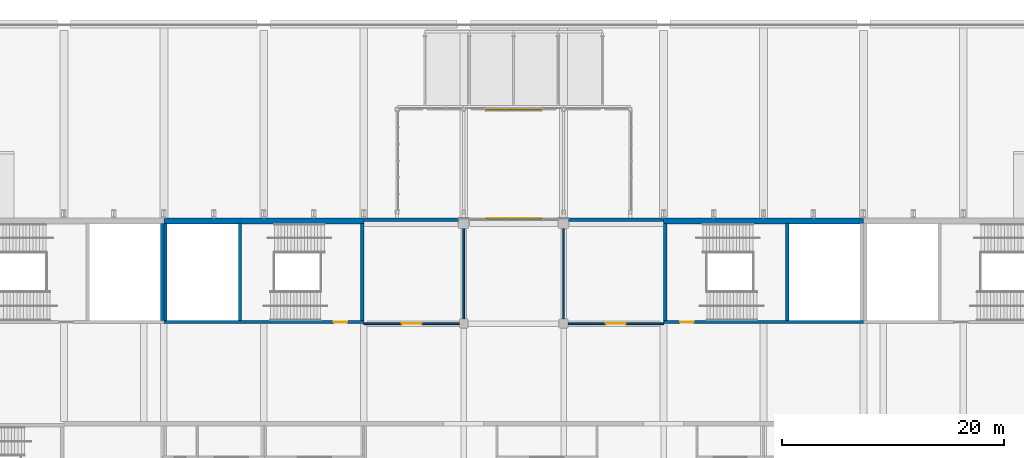
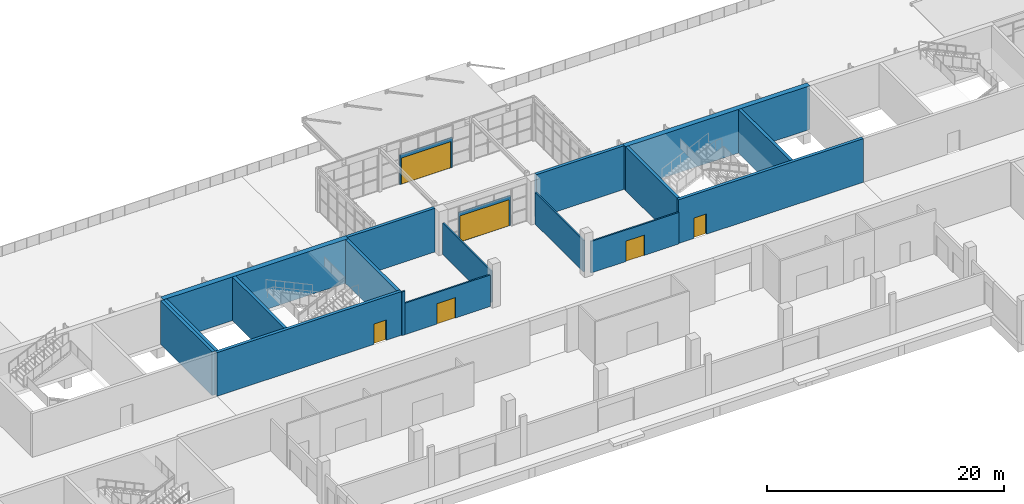
# One storey, part 107 of 168: 19 walls, 6 doors, 6 openings.
"""IFC4 building model written with IfcOpenShell, lengths in metres."""

from ifc_helpers import new_model, si_unit, direction, frame, frame_2d, origin, place, context, subcontext, project, spatial, rectangle, extrude, material, layer, layer_set, type_object, element, fill, save


model = new_model("IFC4")

# Units and contexts
model_context = context("Model", 3, precision=1e-05, world=origin(), true_north=direction((0.0, 1.0)))
body_context = subcontext(model_context, "Body", "Model", "MODEL_VIEW")
ifc_project = project(units=[si_unit("LENGTHUNIT", "METRE"), si_unit("AREAUNIT", "SQUARE_METRE"), si_unit("VOLUMEUNIT", "CUBIC_METRE"), si_unit("PLANEANGLEUNIT", "RADIAN"), si_unit("MASSUNIT", "GRAM", prefix="KILO")], contexts=[model_context])

# Site, building, storey
site_placement = place(None, origin())
site = spatial("IfcSite", under=ifc_project, at=site_placement, CompositionType="ELEMENT")
building_placement = place(site_placement, origin())
building = spatial("IfcBuilding", under=site, at=building_placement, Name="Silverbay Arena", CompositionType="ELEMENT")
storey_placement = place(building_placement, frame((0.0, 0.0, 7.0)))
storey = spatial("IfcBuildingStorey", under=building, at=storey_placement, Name="L01", CompositionType="ELEMENT", Elevation=7.0)

# Walls
ifc_material_1 = material(Name="Concrete Grade C45 precast, board-marked finish", Category="concrete")
ifc_layer_1 = layer(ifc_material_1, 0.300048828125)
ifc_layer_set_1 = layer_set([ifc_layer_1], Name="Concrete Grade C45 precast, board-marked finish")
wall_type_1 = type_object("IfcWallType", Name="Board-marked precast wall 300", PredefinedType="SOLIDWALL", material=ifc_layer_set_1)
for number, where, z_axis, x_axis, name in (
    (1, (125.550048828125, 144.35009765625, 0.0), (0.0, 0.0, 1.0), (-1.0, 0.0, 0.0), "North external wall L01 bay 11"),
    (2, (144.0, 144.35009765625, 0.0), (0.0, 0.0, 1.0), (-1.0, 0.0, 0.0), "North external wall L01 bay 13"),
):
    element("IfcWall", number, at=place(storey_placement, frame(where, z_axis=z_axis, x_axis=x_axis)), inside=storey, type_object=wall_type_1, Name=name, PredefinedType="SOLIDWALL", context=body_context, shape_type="SweptSolid", body=[
        extrude(rectangle(XDim=8.550048828125, YDim=0.300048828125, at=frame_2d((4.27490234375, 0.0))), origin(), (0.0, 0.0, 1.0), 4.5),
    ])
ifc_material_2 = material(Name="Concrete Grade C45", Category="concrete")
ifc_layer_2 = layer(ifc_material_2, 0.300048828125)
ifc_layer_set_2 = layer_set([ifc_layer_2], Name="Concrete Grade C45")
wall_type_2 = type_object("IfcWallType", Name="Core wall RC 300 EI 120", PredefinedType="SHEAR", material=ifc_layer_set_2)
wall_1_placement = place(storey_placement, frame((98.85009765625, 135.300048828125, 0.0), z_axis=(0.0, 0.0, 1.0), x_axis=(0.0, 1.0, 0.0)))
element("IfcWall", 3, at=wall_1_placement, inside=storey, type_object=wall_type_2, Name="Core wall ST-N1 L01 end 2", PredefinedType="SHEAR", context=body_context, shape_type="SweptSolid", body=[
    extrude(rectangle(XDim=8.699951171875, YDim=0.300048828125, at=frame_2d((4.35009765625, 0.0))), origin(), (0.0, 0.0, 1.0), 4.5),
])

# Wall, opening, door
wall_2_placement = place(storey_placement, frame((117.0, 135.14990234375, 0.0), z_axis=(0.0, 0.0, 1.0), x_axis=(-1.0, 0.0, 0.0)))
wall_2 = element("IfcWall", 4, at=wall_2_placement, inside=storey, type_object=wall_type_2, Name="Core wall ST-N2 L01 door side", PredefinedType="SHEAR", context=body_context, shape_type="SweptSolid", body=[
    extrude(rectangle(XDim=18.0, YDim=0.300048828125, at=frame_2d((9.0, 0.0))), origin(), (0.0, 0.0, 1.0), 4.5),
])
opening_1_placement = place(wall_2_placement, frame((1.5, 0.0, 0.0)))
opening_1 = element("IfcOpeningElement", 5, at=opening_1_placement, cuts=wall_2, Name="Opening L01-106", PredefinedType="OPENING", context=body_context, shape_type="SweptSolid", body=[
    extrude(rectangle(XDim=1.199951171875, YDim=2.10009765625, at=frame_2d((0.60009765625, 1.050048828125))), frame((0.0, 0.16015625, 0.0), z_axis=(0.0, -1.0, 0.0), x_axis=(1.0, 0.0, 0.0)), (0.0, 0.0, 1.0), 0.320068359375),
])
ifc_material_3 = material(Name="Steel fire door", Category="steel")
door_type_1 = type_object("IfcDoorType", Name="Stair door 1200 x 2100 fire door", OperationType="SINGLE_SWING_LEFT", PredefinedType="DOOR", material=ifc_material_3)
door_1_placement = place(opening_1_placement, frame((1.199951171875, 0.0, 0.0), z_axis=(0.0, 0.0, 1.0), x_axis=(-1.0, 0.0, 0.0)))
door_1 = element("IfcDoor", 6, at=door_1_placement, inside=storey, type_object=door_type_1, Name="Stair door ST-N2 L01", OperationType="SINGLE_SWING_RIGHT", OverallHeight=2.10009765625, OverallWidth=1.199951171875, PredefinedType="DOOR", context=body_context, shape_type="SweptSolid", body=[
    extrude(rectangle(XDim=1.199951171875, YDim=2.10009765625, at=frame_2d((0.60009765625, 1.050048828125))), frame((0.0, 0.02490234375, 0.0), z_axis=(0.0, -1.0, 0.0), x_axis=(1.0, 0.0, 0.0)), (0.0, 0.0, 1.0), 0.050048828125),
])
fill(opening_1, door_1)

# Walls
for number, where, z_axis, x_axis, name in (
    (7, (116.85009765625, 135.300048828125, 0.0), (0.0, 0.0, 1.0), (0.0, 1.0, 0.0), "Core wall ST-N2 L01 end 1"),
    (8, (99.14990234375, 135.300048828125, 0.0), (0.0, 0.0, 1.0), (0.0, 1.0, 0.0), "Core wall ST-N2 L01 end 2"),
    (9, (105.85009765625, 135.300048828125, 0.0), (0.0, 0.0, 1.0), (0.0, 1.0, 0.0), "Core wall ST-N2 L01 stair enclosure"),
):
    element("IfcWall", number, at=place(storey_placement, frame(where, z_axis=z_axis, x_axis=x_axis)), inside=storey, type_object=wall_type_2, Name=name, PredefinedType="SHEAR", context=body_context, shape_type="SweptSolid", body=[
        extrude(rectangle(XDim=8.699951171875, YDim=0.300048828125, at=frame_2d((4.35009765625, 0.0))), origin(), (0.0, 0.0, 1.0), 4.5),
    ])

# Wall, opening, door
wall_3_placement = place(storey_placement, frame((144.0, 135.14990234375, 0.0), z_axis=(0.0, 0.0, 1.0), x_axis=(1.0, 0.0, 0.0)))
wall_3 = element("IfcWall", 10, at=wall_3_placement, inside=storey, type_object=wall_type_2, Name="Core wall ST-N3 L01 door side", PredefinedType="SHEAR", context=body_context, shape_type="SweptSolid", body=[
    extrude(rectangle(XDim=18.0, YDim=0.300048828125, at=frame_2d((9.0, 0.0))), origin(), (0.0, 0.0, 1.0), 4.5),
])
opening_2_placement = place(wall_3_placement, frame((1.5, 0.0, 0.0)))
opening_2 = element("IfcOpeningElement", 11, at=opening_2_placement, cuts=wall_3, Name="Opening L01-107", PredefinedType="OPENING", context=body_context, shape_type="SweptSolid", body=[
    extrude(rectangle(XDim=1.199951171875, YDim=2.10009765625, at=frame_2d((0.60009765625, 1.050048828125))), frame((0.0, 0.16015625, 0.0), z_axis=(0.0, -1.0, 0.0), x_axis=(1.0, 0.0, 0.0)), (0.0, 0.0, 1.0), 0.320068359375),
])
door_2_placement = place(opening_2_placement, origin())
door_2 = element("IfcDoor", 12, at=door_2_placement, inside=storey, type_object=door_type_1, Name="Stair door ST-N3 L01", OperationType="SINGLE_SWING_LEFT", OverallHeight=2.10009765625, OverallWidth=1.199951171875, PredefinedType="DOOR", context=body_context, shape_type="SweptSolid", body=[
    extrude(rectangle(XDim=1.199951171875, YDim=2.10009765625, at=frame_2d((0.60009765625, 1.050048828125))), frame((0.0, 0.02490234375, 0.0), z_axis=(0.0, -1.0, 0.0), x_axis=(1.0, 0.0, 0.0)), (0.0, 0.0, 1.0), 0.050048828125),
])
fill(opening_2, door_2)

# Walls
for number, where, z_axis, x_axis, name in (
    (13, (144.14990234375, 135.300048828125, 0.0), (0.0, 0.0, 1.0), (0.0, 1.0, 0.0), "Core wall ST-N3 L01 end 1"),
    (14, (155.14990234375, 135.300048828125, 0.0), (0.0, 0.0, 1.0), (0.0, 1.0, 0.0), "Core wall ST-N3 L01 stair enclosure"),
):
    element("IfcWall", number, at=place(storey_placement, frame(where, z_axis=z_axis, x_axis=x_axis)), inside=storey, type_object=wall_type_2, Name=name, PredefinedType="SHEAR", context=body_context, shape_type="SweptSolid", body=[
        extrude(rectangle(XDim=8.699951171875, YDim=0.300048828125, at=frame_2d((4.35009765625, 0.0))), origin(), (0.0, 0.0, 1.0), 4.5),
    ])
ifc_material_4 = material(Name="Concrete Grade C45", Category="concrete")
ifc_layer_3 = layer(ifc_material_4, 0.5)
ifc_layer_set_3 = layer_set([ifc_layer_3], Name="Concrete Grade C45")
wall_type_3 = type_object("IfcWallType", Name="Core wall RC 500 external EI 120", PredefinedType="SHEAR", material=ifc_layer_set_3)
for number, where, z_axis, x_axis, name in (
    (15, (117.0, 144.25, 0.0), (0.0, 0.0, 1.0), (-1.0, 0.0, 0.0), "Core wall ST-N2 L01 facade side"),
    (16, (144.0, 144.25, 0.0), (0.0, 0.0, 1.0), (1.0, 0.0, 0.0), "Core wall ST-N3 L01 facade side"),
):
    element("IfcWall", number, at=place(storey_placement, frame(where, z_axis=z_axis, x_axis=x_axis)), inside=storey, type_object=wall_type_3, Name=name, PredefinedType="SHEAR", context=body_context, shape_type="SweptSolid", body=[
        extrude(rectangle(XDim=18.0, YDim=0.5, at=frame_2d((9.0, 0.0))), origin(), (0.0, 0.0, 1.0), 4.5),
    ])

# Wall, opening, door
ifc_material_5 = material(Name="Aluminium and glass", Category="aluminium")
ifc_layer_4 = layer(ifc_material_5, 0.10009765625)
ifc_layer_set_4 = layer_set([ifc_layer_4], Name="Aluminium and glass")
wall_type_4 = type_object("IfcWallType", Name="Glazed entrance screen 100", PredefinedType="SOLIDWALL", material=ifc_layer_set_4)
wall_4_placement = place(storey_placement, frame((133.050048828125, 144.449951171875, 0.0), z_axis=(0.0, 0.0, 1.0), x_axis=(-1.0, 0.0, 0.0)))
wall_4 = element("IfcWall", 17, at=wall_4_placement, inside=storey, type_object=wall_type_4, Name="North entrance screen L01 bay 12", PredefinedType="SOLIDWALL", context=body_context, shape_type="SweptSolid", body=[
    extrude(rectangle(XDim=5.10009765625, YDim=0.10009765625, at=frame_2d((2.550048828125, 0.0))), origin(), (0.0, 0.0, 1.0), 3.10009765625),
])
opening_3_placement = place(wall_4_placement, frame((0.14990234375, 0.0, 0.0)))
opening_3 = element("IfcOpeningElement", 18, at=opening_3_placement, cuts=wall_4, Name="Opening L01-091", PredefinedType="OPENING", context=body_context, shape_type="SweptSolid", body=[
    extrude(rectangle(XDim=4.800048828125, YDim=2.699951171875, at=frame_2d((2.39990234375, 1.35009765625))), frame((0.0, 0.06005859375, 0.0), z_axis=(0.0, -1.0, 0.0), x_axis=(1.0, 0.0, 0.0)), (0.0, 0.0, 1.0), 0.1201171875),
])
ifc_material_6 = material(Name="Aluminium and glass", Category="aluminium")
door_type_2 = type_object("IfcDoorType", Name="Entrance door 4800 x 2700", OperationType="DOUBLE_DOOR_SINGLE_SWING", PredefinedType="DOOR", material=ifc_material_6)
door_3_placement = place(opening_3_placement, frame((4.800048828125, 0.0, 0.0), z_axis=(0.0, 0.0, 1.0), x_axis=(-1.0, 0.0, 0.0)))
door_3 = element("IfcDoor", 19, at=door_3_placement, inside=storey, type_object=door_type_2, Name="Main entrance E7", OperationType="DOUBLE_DOOR_SINGLE_SWING", OverallHeight=2.699951171875, OverallWidth=4.800048828125, PredefinedType="DOOR", context=body_context, shape_type="SweptSolid", body=[
    extrude(rectangle(XDim=4.800048828125, YDim=2.699951171875, at=frame_2d((2.39990234375, 1.35009765625))), frame((0.0, 0.02490234375, 0.0), z_axis=(0.0, -1.0, 0.0), x_axis=(1.0, 0.0, 0.0)), (0.0, 0.0, 1.0), 0.050048828125),
])
fill(opening_3, door_3)

wall_5_placement = place(storey_placement, frame((133.050048828125, 154.300048828125, 0.0), z_axis=(0.0, 0.0, 1.0), x_axis=(-1.0, 0.0, 0.0)))
wall_5 = element("IfcWall", 20, at=wall_5_placement, inside=storey, type_object=wall_type_4, Name="North entrance hall N1 entrance screen", PredefinedType="SOLIDWALL", context=body_context, shape_type="SweptSolid", body=[
    extrude(rectangle(XDim=5.10009765625, YDim=0.10009765625, at=frame_2d((2.550048828125, 0.0))), origin(), (0.0, 0.0, 1.0), 3.10009765625),
])
opening_4_placement = place(wall_5_placement, frame((0.14990234375, 0.0, 0.0)))
opening_4 = element("IfcOpeningElement", 21, at=opening_4_placement, cuts=wall_5, Name="Opening L01-098", PredefinedType="OPENING", context=body_context, shape_type="SweptSolid", body=[
    extrude(rectangle(XDim=4.800048828125, YDim=2.699951171875, at=frame_2d((2.39990234375, 1.35009765625))), frame((0.0, 0.06005859375, 0.0), z_axis=(0.0, -1.0, 0.0), x_axis=(1.0, 0.0, 0.0)), (0.0, 0.0, 1.0), 0.1201171875),
])
door_4_placement = place(opening_4_placement, frame((4.800048828125, 0.0, 0.0), z_axis=(0.0, 0.0, 1.0), x_axis=(-1.0, 0.0, 0.0)))
door_4 = element("IfcDoor", 22, at=door_4_placement, inside=storey, type_object=door_type_2, Name="Entrance hall door", OperationType="DOUBLE_DOOR_SINGLE_SWING", OverallHeight=2.699951171875, OverallWidth=4.800048828125, PredefinedType="DOOR", context=body_context, shape_type="SweptSolid", body=[
    extrude(rectangle(XDim=4.800048828125, YDim=2.699951171875, at=frame_2d((2.39990234375, 1.35009765625))), frame((0.0, 0.02490234375, 0.0), z_axis=(0.0, -1.0, 0.0), x_axis=(1.0, 0.0, 0.0)), (0.0, 0.0, 1.0), 0.050048828125),
])
fill(opening_4, door_4)

ifc_material_7 = material(Name="Gypsum board partition on steel studs", Category="steel")
ifc_layer_5 = layer(ifc_material_7, 0.14990234375)
ifc_layer_set_5 = layer_set([ifc_layer_5], Name="Gypsum board partition on steel studs")
wall_type_5 = type_object("IfcWallType", Name="Partition 150 EI 60", PredefinedType="PARTITIONING", material=ifc_layer_set_5)
wall_6_placement = place(storey_placement, frame((117.300048828125, 135.0, 0.0), z_axis=(0.0, 0.0, 1.0), x_axis=(1.0, 0.0, 0.0)))
wall_6 = element("IfcWall", 23, at=wall_6_placement, inside=storey, type_object=wall_type_5, Name="Partition wall", PredefinedType="PARTITIONING", context=body_context, shape_type="SweptSolid", body=[
    extrude(rectangle(XDim=8.300048828125, YDim=0.14990234375, at=frame_2d((4.14990234375, 0.0))), origin(), (0.0, 0.0, 1.0), 3.25),
])
opening_5_placement = place(wall_6_placement, frame((3.10009765625, 0.0, 0.0)))
opening_5 = element("IfcOpeningElement", 24, at=opening_5_placement, cuts=wall_6, Name="Opening L01-003", PredefinedType="OPENING", context=body_context, shape_type="SweptSolid", body=[
    extrude(rectangle(XDim=1.800048828125, YDim=2.10009765625, at=frame_2d((0.89990234375, 1.050048828125))), frame((0.0, 0.0849609375, 0.0), z_axis=(0.0, -1.0, 0.0), x_axis=(1.0, 0.0, 0.0)), (0.0, 0.0, 1.0), 0.169921875),
])
ifc_material_8 = material(Name="Steel faced timber", Category="steel")
door_type_3 = type_object("IfcDoorType", Name="Double leaf door 1800 x 2100 FD30S", OperationType="DOUBLE_DOOR_DOUBLE_SWING", PredefinedType="DOOR", material=ifc_material_8)
door_5_placement = place(opening_5_placement, origin())
door_5 = element("IfcDoor", 25, at=door_5_placement, inside=storey, type_object=door_type_3, Name="Door L01-003", OperationType="DOUBLE_DOOR_DOUBLE_SWING", OverallHeight=2.10009765625, OverallWidth=1.800048828125, PredefinedType="DOOR", context=body_context, shape_type="SweptSolid", body=[
    extrude(rectangle(XDim=1.800048828125, YDim=2.10009765625, at=frame_2d((0.89990234375, 1.050048828125))), frame((0.0, 0.02490234375, 0.0), z_axis=(0.0, -1.0, 0.0), x_axis=(1.0, 0.0, 0.0)), (0.0, 0.0, 1.0), 0.050048828125),
])
fill(opening_5, door_5)

wall_7_placement = place(storey_placement, frame((135.39990234375, 135.0, 0.0), z_axis=(0.0, 0.0, 1.0), x_axis=(1.0, 0.0, 0.0)))
wall_7 = element("IfcWall", 26, at=wall_7_placement, inside=storey, type_object=wall_type_5, Name="Partition wall", PredefinedType="PARTITIONING", context=body_context, shape_type="SweptSolid", body=[
    extrude(rectangle(XDim=8.60009765625, YDim=0.14990234375, at=frame_2d((4.300048828125, 0.0))), origin(), (0.0, 0.0, 1.0), 3.25),
])
opening_6_placement = place(wall_7_placement, frame((3.39990234375, 0.0, 0.0)))
opening_6 = element("IfcOpeningElement", 27, at=opening_6_placement, cuts=wall_7, Name="Opening L01-004", PredefinedType="OPENING", context=body_context, shape_type="SweptSolid", body=[
    extrude(rectangle(XDim=1.800048828125, YDim=2.10009765625, at=frame_2d((0.89990234375, 1.050048828125))), frame((0.0, 0.0849609375, 0.0), z_axis=(0.0, -1.0, 0.0), x_axis=(1.0, 0.0, 0.0)), (0.0, 0.0, 1.0), 0.169921875),
])
door_6_placement = place(opening_6_placement, origin())
door_6 = element("IfcDoor", 28, at=door_6_placement, inside=storey, type_object=door_type_3, Name="Door L01-004", OperationType="DOUBLE_DOOR_DOUBLE_SWING", OverallHeight=2.10009765625, OverallWidth=1.800048828125, PredefinedType="DOOR", context=body_context, shape_type="SweptSolid", body=[
    extrude(rectangle(XDim=1.800048828125, YDim=2.10009765625, at=frame_2d((0.89990234375, 1.050048828125))), frame((0.0, 0.02490234375, 0.0), z_axis=(0.0, -1.0, 0.0), x_axis=(1.0, 0.0, 0.0)), (0.0, 0.0, 1.0), 0.050048828125),
])
fill(opening_6, door_6)

# Walls
for number, where, z_axis, x_axis, name in (
    (29, (126.0, 135.39990234375, 0.0), (0.0, 0.0, 1.0), (0.0, 1.0, 0.0), "Partition wall"),
    (30, (135.0, 135.39990234375, 0.0), (0.0, 0.0, 1.0), (0.0, 1.0, 0.0), "Partition wall"),
):
    element("IfcWall", number, at=place(storey_placement, frame(where, z_axis=z_axis, x_axis=x_axis)), inside=storey, type_object=wall_type_5, Name=name, PredefinedType="PARTITIONING", context=body_context, shape_type="SweptSolid", body=[
        extrude(rectangle(XDim=8.150146484375, YDim=0.14990234375, at=frame_2d((4.0751953125, 0.0))), origin(), (0.0, 0.0, 1.0), 3.25),
    ])
wall_8_placement = place(storey_placement, frame((117.0, 135.0, 0.0), z_axis=(0.0, 0.0, 1.0), x_axis=(1.0, 0.0, 0.0)))
element("IfcWall", 31, at=wall_8_placement, inside=storey, type_object=wall_type_5, Name="Partition wall", PredefinedType="PARTITIONING", context=body_context, shape_type="SweptSolid", body=[
    extrude(rectangle(XDim=0.300048828125, YDim=0.14990234375, at=frame_2d((0.14990234375, 0.0))), origin(), (0.0, 0.0, 1.0), 4.5),
])

save(model, "model.ifc")
